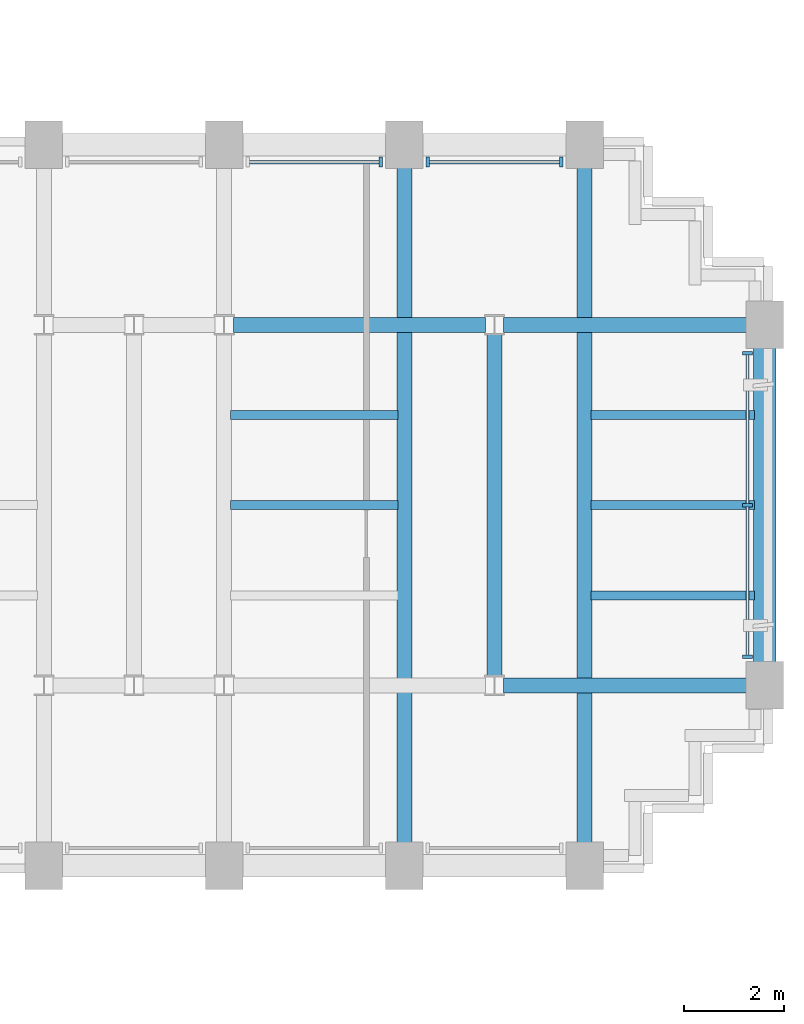
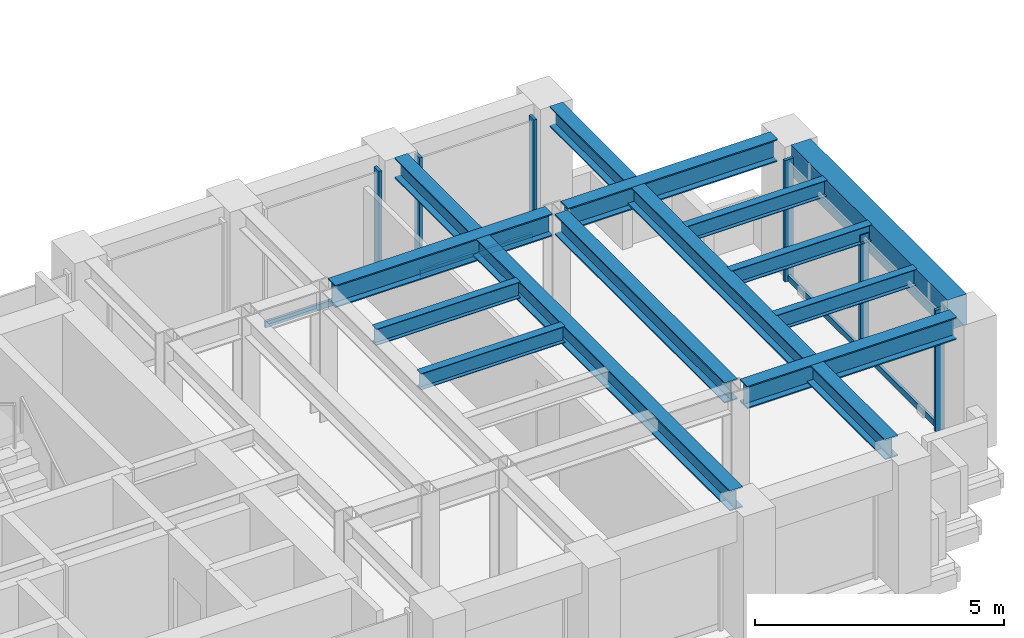
# One storey, part 6 of 16: 12 beams, 10 members, 3 elements without a shape of their own.
"""IFC4 building model written with IfcOpenShell, lengths in metres."""

import ifcopenshell
import ifcopenshell.guid

model = None  # the IFC model being written
_history = None  # IfcOwnerHistory: only IFC2X3 demands one
_inside = {}  # id of a spatial element -> (the spatial element, [elements in it])
_under = {}  # id of a project, library or spatial element -> (it, [spatial elements below it])
_declared = {}  # id of a project -> (the project, [libraries it declares])
_typed = {}  # id of a type object -> (the type object, [elements of that type])
_made_of = {}  # id of a material, layer set ... -> (it, [elements and type objects made of it])


def new_model(schema):
    """Start an empty IFC model of exactly this schema.

    Asked for "IFC4X3", IfcOpenShell would pick the latest addendum, in which some entities
    have other attributes; the version numbers below select the first issue.
    IFC2X3 requires an IfcOwnerHistory on every rooted entity: one is made here for all.
    """
    global model, _history
    if schema == "IFC4X3":
        model = ifcopenshell.file(schema_version=(4, 3, 0, 0))
    else:
        model = ifcopenshell.file(schema=schema)
    _inside.clear()
    _under.clear()
    _declared.clear()
    _typed.clear()
    _made_of.clear()
    _history = None
    if model.schema == "IFC2X3":
        org = make("IfcOrganization", Name="unknown")
        user = make(
            "IfcPersonAndOrganization",
            ThePerson=make("IfcPerson", FamilyName="unknown"),
            TheOrganization=org,
        )
        app = make(
            "IfcApplication",
            ApplicationDeveloper=org,
            Version="unknown",
            ApplicationFullName="unknown",
            ApplicationIdentifier="unknown",
        )
        _history = make(
            "IfcOwnerHistory",
            OwningUser=user,
            OwningApplication=app,
            ChangeAction="ADDED",
            CreationDate=0,
        )
    return model


def make(cls, **values):
    """One entity of the class cls with the attributes given. An attribute that is None is left unset."""
    return model.create_entity(
        cls, **{name: value for name, value in values.items() if value is not None}
    )


def rooted(cls, **values):
    """An entity with a GlobalId (a new one), such as an element, a storey or a relation."""
    return make(cls, GlobalId=ifcopenshell.guid.new(), OwnerHistory=_history, **values)


def si_unit(unit_type, name, prefix=None):
    """IfcSIUnit, for example si_unit("LENGTHUNIT", "METRE", prefix="MILLI")."""
    return make("IfcSIUnit", UnitType=unit_type, Prefix=prefix, Name=name)


def assignment(units):
    """IfcUnitAssignment: the units of a project."""
    return None if units is None else make("IfcUnitAssignment", Units=units)


def point(xyz):
    """IfcCartesianPoint."""
    return None if xyz is None else make("IfcCartesianPoint", Coordinates=xyz)


def direction(xyz):
    """IfcDirection."""
    return None if xyz is None else make("IfcDirection", DirectionRatios=xyz)


def frame(location, z_axis=None, x_axis=None):
    """IfcAxis2Placement3D, a coordinate frame: its origin and axes. An axis left out is left unset."""
    return make(
        "IfcAxis2Placement3D",
        Location=point(location),
        Axis=direction(z_axis),
        RefDirection=direction(x_axis),
    )


def frame_2d(location, x_axis=None):
    """IfcAxis2Placement2D, a coordinate frame in the plane: its origin and x axis."""
    return make(
        "IfcAxis2Placement2D", Location=point(location), RefDirection=direction(x_axis)
    )


def origin():
    """The frame at (0, 0, 0) with its axes left unset."""
    return frame((0.0, 0.0, 0.0))


def origin_2d():
    """The frame at (0, 0) in the plane with its x axis left unset."""
    return frame_2d((0.0, 0.0))


def place(relative_to, where):
    """IfcLocalPlacement: puts the frame where relative to a parent placement (None: the world)."""
    return make(
        "IfcLocalPlacement", PlacementRelTo=relative_to, RelativePlacement=where
    )


def context(
    kind, dimensions, precision=None, world=None, true_north=None, identifier=None
):
    """IfcGeometricRepresentationContext, for example the 3D "Model" context."""
    return make(
        "IfcGeometricRepresentationContext",
        ContextIdentifier=identifier,
        ContextType=kind,
        CoordinateSpaceDimension=dimensions,
        Precision=precision,
        WorldCoordinateSystem=world,
        TrueNorth=true_north,
    )


def subcontext(parent, identifier, kind, view, scale=None):
    """IfcGeometricRepresentationSubContext, for example "Body" below "Model"."""
    return make(
        "IfcGeometricRepresentationSubContext",
        ContextIdentifier=identifier,
        ContextType=kind,
        ParentContext=parent,
        TargetScale=scale,
        TargetView=view,
    )


def project(units=None, contexts=None):
    """IfcProject with its units and contexts."""
    return rooted(
        "IfcProject",
        Name="project",
        RepresentationContexts=contexts,
        UnitsInContext=assignment(units),
    )


def spatial(cls, under=None, at=None, **own):
    """A site, building, storey or space (cls), placed at a placement, below another one or the project."""
    s = rooted(cls, ObjectPlacement=at, **own)
    if under is not None:
        _under.setdefault(under.id(), (under, []))[1].append(s)
    return s


def profile(cls, at=None, kind="AREA", **sizes):
    """A parametric profile (cls). Its sizes go by their IFC names, for example OverallWidth=200.0."""
    return make(cls, ProfileType=kind, Position=at, **sizes)


def rectangle(**sizes):
    """IfcRectangleProfileDef."""
    return profile("IfcRectangleProfileDef", **sizes)


def i_section(**sizes):
    """IfcIShapeProfileDef."""
    return profile("IfcIShapeProfileDef", **sizes)


def extrude(swept, where, along, depth):
    """IfcExtrudedAreaSolid: the profile swept, set in the frame where, extruded along a direction by depth."""
    return make(
        "IfcExtrudedAreaSolid",
        SweptArea=swept,
        Position=where,
        ExtrudedDirection=direction(along),
        Depth=depth,
    )


def shape(context_of_items, identifier, shape_type, items):
    """IfcShapeRepresentation: the items that make up one representation, for example the "Body"."""
    return make(
        "IfcShapeRepresentation",
        ContextOfItems=context_of_items,
        RepresentationIdentifier=identifier,
        RepresentationType=shape_type,
        Items=items,
    )


def source(mapping_origin, context_of_items, identifier, shape_type, items):
    """IfcRepresentationMap: a shape defined once, which mapped items show again and again."""
    return make(
        "IfcRepresentationMap",
        MappingOrigin=mapping_origin,
        MappedRepresentation=shape(context_of_items, identifier, shape_type, items),
    )


def transform(
    local_origin,
    x_axis=None,
    y_axis=None,
    z_axis=None,
    scale=None,
    scale2=None,
    scale3=None,
    uniform=True,
):
    """IfcCartesianTransformationOperator3D, or its non-uniform kind. x_axis, y_axis, z_axis: its Axis1, 2, 3."""
    if uniform:
        return make(
            "IfcCartesianTransformationOperator3D",
            Axis1=direction(x_axis),
            Axis2=direction(y_axis),
            LocalOrigin=point(local_origin),
            Scale=scale,
            Axis3=direction(z_axis),
        )
    return make(
        "IfcCartesianTransformationOperator3DnonUniform",
        Axis1=direction(x_axis),
        Axis2=direction(y_axis),
        LocalOrigin=point(local_origin),
        Scale=scale,
        Axis3=direction(z_axis),
        Scale2=scale2,
        Scale3=scale3,
    )


def mapped(mapping_source, mapping_target):
    """IfcMappedItem: shows the shape of a source again, moved by a transform."""
    return make(
        "IfcMappedItem", MappingSource=mapping_source, MappingTarget=mapping_target
    )


def material(Name=None, Category=None):
    """IfcMaterial."""
    return make("IfcMaterial", Name=Name, Category=Category)


def material_profile(
    of_material, cross_section, Name=None, Category=None, Priority=None
):
    """IfcMaterialProfile: a cross section and its material."""
    return make(
        "IfcMaterialProfile",
        Name=Name,
        Material=of_material,
        Profile=cross_section,
        Priority=Priority,
        Category=Category,
    )


def profile_set(profiles, Name=None, composite=None):
    """IfcMaterialProfileSet."""
    return make(
        "IfcMaterialProfileSet",
        Name=Name,
        MaterialProfiles=profiles,
        CompositeProfile=composite,
    )


def made_of(thing, what):
    """Note that an element or type object is made of a material, layer set ...; save() writes the relation."""
    if what is not None:
        _made_of.setdefault(what.id(), (what, []))[1].append(thing)
    return thing


def type_object(cls, material=None, **own):
    """A type object (cls), such as IfcWallType, which elements share."""
    return made_of(rooted(cls, **own), material)


def element(
    cls,
    number,
    at=None,
    inside=None,
    cuts=None,
    type_object=None,
    material=None,
    context=None,
    identifier="Body",
    shape_type=None,
    held_by="IfcProductDefinitionShape",
    body=None,
    shapes=None,
    **own,
):
    """One element of the class cls, such as IfcWall. Its Tag is "e" and its number.

    at: its placement. inside: the storey or other place that contains it. cuts: it is an
    opening in that element (IfcRelVoidsElement). A single representation is given by context,
    identifier, shape_type and body (its items); several are given by shapes. held_by: the class
    of the entity that holds the representations. save() writes the other relations.
    """
    e = rooted(cls, Tag="e%d" % number, ObjectPlacement=at, **own)
    if body is not None:
        shapes = [shape(context, identifier, shape_type, body)]
    if shapes is not None:
        e.Representation = make(held_by, Representations=shapes)
    if inside is not None:
        _inside.setdefault(inside.id(), (inside, []))[1].append(e)
    if cuts is not None:
        rooted(
            "IfcRelVoidsElement", RelatingBuildingElement=cuts, RelatedOpeningElement=e
        )
    if type_object is not None:
        _typed.setdefault(type_object.id(), (type_object, []))[1].append(e)
    return made_of(e, material)


def aggregate(whole, parts):
    """IfcRelAggregates: a whole, such as a stair, and the parts it consists of."""
    return rooted("IfcRelAggregates", RelatingObject=whole, RelatedObjects=parts)


def save(model, path):
    """Write the relations noted so far, then the file.

    IfcRelAggregates (storeys below a building ...), IfcRelContainedInSpatialStructure (elements
    in a storey), IfcRelDefinesByType, IfcRelAssociatesMaterial and IfcRelDeclares: one each for
    every whole, place, type object, material and project.
    """
    for whole, parts in _under.values():
        aggregate(whole, parts)
    for where, things in _inside.values():
        rooted(
            "IfcRelContainedInSpatialStructure",
            RelatedElements=things,
            RelatingStructure=where,
        )
    for kind, things in _typed.values():
        rooted("IfcRelDefinesByType", RelatedObjects=things, RelatingType=kind)
    for what, things in _made_of.values():
        rooted("IfcRelAssociatesMaterial", RelatedObjects=things, RelatingMaterial=what)
    for by, libraries in _declared.values():
        rooted("IfcRelDeclares", RelatingContext=by, RelatedDefinitions=libraries)
    model.write(path)


model = new_model("IFC4")

# Units and contexts
model_context = context("Model", 3, precision=1e-05, world=origin(), true_north=direction((0.0, 1.0)))
body_context = subcontext(model_context, "Body", "Model", "MODEL_VIEW")
ifc_project = project(units=[si_unit("LENGTHUNIT", "METRE"), si_unit("AREAUNIT", "SQUARE_METRE"), si_unit("VOLUMEUNIT", "CUBIC_METRE"), si_unit("PLANEANGLEUNIT", "RADIAN"), si_unit("MASSUNIT", "GRAM", prefix="KILO")], contexts=[model_context])

# Site, building, storey
site_placement = place(None, origin())
site = spatial("IfcSite", under=ifc_project, at=site_placement, CompositionType="ELEMENT")
building_placement = place(site_placement, origin())
building = spatial("IfcBuilding", under=site, at=building_placement, Name="Keilestroom Media Tower", CompositionType="ELEMENT")
storey_placement = place(building_placement, frame((0.0, 0.0, 57.800048828125)))
storey = spatial("IfcBuildingStorey", under=building, at=storey_placement, Name="L14", CompositionType="ELEMENT", Elevation=57.800048828125)

# Beams
ifc_material_1 = material(Name="Precast concrete C40/50", Category="concrete")
ifc_material_profile_1 = material_profile(ifc_material_1, rectangle(XDim=0.449951171875, YDim=0.75, at=origin_2d()), Name="PC 450x750")
ifc_profile_set_1 = profile_set([ifc_material_profile_1], Name="Precast concrete C40/50")
beam_type_1 = type_object("IfcBeamType", Name="Perimeter-Spandrel-Beam-PC-450x750", PredefinedType="SPANDREL", material=ifc_profile_set_1)
shared_shape_1 = source(origin(), body_context, "Body", "SweptSolid", [
    extrude(rectangle(XDim=0.449951171875, YDim=0.75, at=origin_2d()), origin(), (0.0, 0.0, 1.0), 6.2900390625),
])
beam_1_placement = place(storey_placement, frame((28.800048828125, -3.14501953125, 2.824951171875), z_axis=(0.0, 1.0, 0.0), x_axis=(-1.0, 0.0, 0.0)))
element("IfcBeam", 1, at=beam_1_placement, inside=storey, type_object=beam_type_1, Name="L14 Beam SPB-1 BM-L14-NS-086", PredefinedType="SPANDREL", context=body_context, shape_type="MappedRepresentation", body=[
    mapped(shared_shape_1, transform((0.0, 0.0, 0.0), x_axis=(1.0, 0.0, 0.0), y_axis=(0.0, 1.0, 0.0), z_axis=(0.0, 0.0, 1.0), scale=1.0)),
])
ifc_material_2 = material(Name="Steel S355", Category="steel")
ifc_material_profile_2 = material_profile(ifc_material_2, i_section(OverallWidth=0.300048828125, OverallDepth=0.550048828125, WebThickness=0.012939453125, FlangeThickness=0.029052734375, at=origin_2d()), Name="HEB 550")
ifc_profile_set_2 = profile_set([ifc_material_profile_2], Name="Steel S355")
beam_type_2 = type_object("IfcBeamType", Name="Primary-Structural-Girder-HEB-550", PredefinedType="BEAM", material=ifc_profile_set_2)
shared_shape_2 = source(origin(), body_context, "Body", "SweptSolid", [
    extrude(i_section(OverallWidth=0.300048828125, OverallDepth=0.550048828125, WebThickness=0.012939453125, FlangeThickness=0.029052734375, at=origin_2d()), origin(), (0.0, 0.0, 1.0), 4.863037109375),
])
for number, where, z_axis, x_axis, name in (
    (2, (23.58203125, -3.60009765625, 2.925048828125), (1.0, 0.0, 0.0), (0.0, 1.0, 0.0), "L14 Beam BG-5 BM-L14-EW-025"),
    (3, (23.58203125, 3.60009765625, 2.925048828125), (1.0, 0.0, 0.0), (0.0, 1.0, 0.0), "L14 Beam BG-5 BM-L14-EW-033"),
):
    element("IfcBeam", number, at=place(storey_placement, frame(where, z_axis=z_axis, x_axis=x_axis)), inside=storey, type_object=beam_type_2, Name=name, PredefinedType="BEAM", context=body_context, shape_type="MappedRepresentation", body=[
        mapped(shared_shape_2, transform((0.0, 0.0, 0.0), x_axis=(1.0, 0.0, 0.0), y_axis=(0.0, 1.0, 0.0), z_axis=(0.0, 0.0, 1.0), scale=1.0)),
    ])
shared_shape_3 = source(origin(), body_context, "Body", "SweptSolid", [
    extrude(i_section(OverallWidth=0.300048828125, OverallDepth=0.550048828125, WebThickness=0.012939453125, FlangeThickness=0.029052734375, at=origin_2d()), origin(), (0.0, 0.0, 1.0), 5.0361328125),
])
beam_2_placement = place(storey_placement, frame((18.181884765625, 3.60009765625, 2.925048828125), z_axis=(1.0, 0.0, 0.0), x_axis=(0.0, 1.0, 0.0)))
element("IfcBeam", 4, at=beam_2_placement, inside=storey, type_object=beam_type_2, Name="L14 Beam BG-5 BM-L14-EW-032", PredefinedType="BEAM", context=body_context, shape_type="MappedRepresentation", body=[
    mapped(shared_shape_3, transform((0.0, 0.0, 0.0), x_axis=(1.0, 0.0, 0.0), y_axis=(0.0, 1.0, 0.0), z_axis=(0.0, 0.0, 1.0), scale=1.0)),
])
ifc_material_profile_3 = material_profile(ifc_material_2, i_section(OverallWidth=0.300048828125, OverallDepth=0.5, WebThickness=0.012451171875, FlangeThickness=0.028076171875, at=origin_2d()), Name="HEB 500")
ifc_profile_set_3 = profile_set([ifc_material_profile_3], Name="Steel S355")
beam_type_3 = type_object("IfcBeamType", Name="Primary-Structural-Girder-HEB-500", PredefinedType="BEAM", material=ifc_profile_set_3)
shared_shape_4 = source(origin(), body_context, "Body", "SweptSolid", [
    extrude(i_section(OverallWidth=0.300048828125, OverallDepth=0.5, WebThickness=0.012451171875, FlangeThickness=0.028076171875, at=origin_2d()), origin(), (0.0, 0.0, 1.0), 13.490234375),
])
for number, where, z_axis, x_axis, name in (
    (5, (21.60009765625, -6.7451171875, 2.949951171875), (0.0, 1.0, 0.0), (-1.0, 0.0, 0.0), "L14 Beam BG-6 BM-L14-NS-083"),
    (6, (25.199951171875, -6.7451171875, 2.949951171875), (0.0, 1.0, 0.0), (-1.0, 0.0, 0.0), "L14 Beam BG-6 BM-L14-NS-085"),
):
    element("IfcBeam", number, at=place(storey_placement, frame(where, z_axis=z_axis, x_axis=x_axis)), inside=storey, type_object=beam_type_3, Name=name, PredefinedType="BEAM", context=body_context, shape_type="MappedRepresentation", body=[
        mapped(shared_shape_4, transform((0.0, 0.0, 0.0), x_axis=(1.0, 0.0, 0.0), y_axis=(0.0, 1.0, 0.0), z_axis=(0.0, 0.0, 1.0), scale=1.0)),
    ])
shared_shape_5 = source(origin(), body_context, "Body", "SweptSolid", [
    extrude(i_section(OverallWidth=0.300048828125, OverallDepth=0.5, WebThickness=0.012451171875, FlangeThickness=0.028076171875, at=origin_2d()), origin(), (0.0, 0.0, 1.0), 6.8330078125),
])
beam_3_placement = place(storey_placement, frame((23.39990234375, -3.41650390625, 2.949951171875), z_axis=(0.0, 1.0, 0.0), x_axis=(-1.0, 0.0, 0.0)))
element("IfcBeam", 7, at=beam_3_placement, inside=storey, type_object=beam_type_3, Name="L14 Beam BG-6 BM-L14-NS-084", PredefinedType="BEAM", context=body_context, shape_type="MappedRepresentation", body=[
    mapped(shared_shape_5, transform((0.0, 0.0, 0.0), x_axis=(1.0, 0.0, 0.0), y_axis=(0.0, 1.0, 0.0), z_axis=(0.0, 0.0, 1.0), scale=1.0)),
])
ifc_material_profile_4 = material_profile(ifc_material_2, i_section(OverallWidth=0.179931640625, OverallDepth=0.39990234375, WebThickness=0.008544921875, FlangeThickness=0.013427734375, at=origin_2d()), Name="IPE 400")
ifc_profile_set_4 = profile_set([ifc_material_profile_4], Name="Steel S355")
beam_type_4 = type_object("IfcBeamType", Name="Secondary-Floor-Joist-IPE-400", PredefinedType="JOIST", material=ifc_profile_set_4)
shared_shape_6 = source(origin(), body_context, "Body", "SweptSolid", [
    extrude(i_section(OverallWidth=0.179931640625, OverallDepth=0.39990234375, WebThickness=0.008544921875, FlangeThickness=0.013427734375, at=origin_2d()), origin(), (0.0, 0.0, 1.0), 3.264892578125),
])
for number, where, z_axis, x_axis, name in (
    (8, (25.330078125, -1.800048828125, 3.0), (1.0, 0.0, 0.0), (0.0, 1.0, 0.0), "L14 Beam BJ-4 JST-L14-095"),
    (9, (25.330078125, 0.0, 3.0), (1.0, 0.0, 0.0), (0.0, 1.0, 0.0), "L14 Beam BJ-4 JST-L14-102"),
    (10, (25.330078125, 1.800048828125, 3.0), (1.0, 0.0, 0.0), (0.0, 1.0, 0.0), "L14 Beam BJ-4 JST-L14-109"),
):
    element("IfcBeam", number, at=place(storey_placement, frame(where, z_axis=z_axis, x_axis=x_axis)), inside=storey, type_object=beam_type_4, Name=name, PredefinedType="JOIST", context=body_context, shape_type="MappedRepresentation", body=[
        mapped(shared_shape_6, transform((0.0, 0.0, 0.0), x_axis=(1.0, 0.0, 0.0), y_axis=(0.0, 1.0, 0.0), z_axis=(0.0, 0.0, 1.0), scale=1.0)),
    ])
shared_shape_7 = source(origin(), body_context, "Body", "SweptSolid", [
    extrude(i_section(OverallWidth=0.179931640625, OverallDepth=0.39990234375, WebThickness=0.008544921875, FlangeThickness=0.013427734375, at=origin_2d()), origin(), (0.0, 0.0, 1.0), 3.340087890625),
])
for number, where, z_axis, x_axis, name in (
    (11, (18.1298828125, 0.0, 3.0), (1.0, 0.0, 0.0), (0.0, 1.0, 0.0), "L14 Beam BJ-4 JST-L14-101"),
    (12, (18.1298828125, 1.800048828125, 3.0), (1.0, 0.0, 0.0), (0.0, 1.0, 0.0), "L14 Beam BJ-4 JST-L14-108"),
):
    element("IfcBeam", number, at=place(storey_placement, frame(where, z_axis=z_axis, x_axis=x_axis)), inside=storey, type_object=beam_type_4, Name=name, PredefinedType="JOIST", context=body_context, shape_type="MappedRepresentation", body=[
        mapped(shared_shape_7, transform((0.0, 0.0, 0.0), x_axis=(1.0, 0.0, 0.0), y_axis=(0.0, 1.0, 0.0), z_axis=(0.0, 0.0, 1.0), scale=1.0)),
    ])

# Curtain wall, members
ifc_material_3 = material(Name="Anodised Aluminium Alloy", Category="aluminium")
curtain_wall_type = type_object("IfcCurtainWallType", Name="Unitised-Curtain-Wall-CW-1", PredefinedType="NOTDEFINED", material=ifc_material_3)
curtain_wall_1_placement = place(storey_placement, origin())
curtain_wall_1 = element("IfcCurtainWall", 13, at=curtain_wall_1_placement, inside=storey, type_object=curtain_wall_type, Name="L14 Curtain Wall CW-1 CW-L14-E-1", PredefinedType="NOTDEFINED")
ifc_material_profile_5 = material_profile(ifc_material_3, rectangle(XDim=0.070068359375, YDim=0.199951171875, at=origin_2d()), Name="ALU MULLION 70x200")
ifc_profile_set_5 = profile_set([ifc_material_profile_5], Name="Anodised Aluminium Alloy")
member_type_1 = type_object("IfcMemberType", Name="Curtain-Wall-Mullion-CW-1", PredefinedType="MULLION", material=ifc_profile_set_5)
shared_shape_8 = source(origin(), body_context, "Body", "SweptSolid", [
    extrude(rectangle(XDim=0.070068359375, YDim=0.199951171875, at=origin_2d()), origin(), (0.0, 0.0, 1.0), 2.97998046875),
])
member_1_placement = place(storey_placement, frame((28.449951171875, -3.030029296875, 0.0), z_axis=(0.0, 0.0, 1.0), x_axis=(0.0, 1.0, 0.0)))
member_1 = element("IfcMember", 14, at=member_1_placement, type_object=member_type_1, Name="CW-1 Mullion 00", PredefinedType="MULLION", context=body_context, shape_type="MappedRepresentation", body=[
    mapped(shared_shape_8, transform((0.0, 0.0, 0.0), x_axis=(1.0, 0.0, 0.0), y_axis=(0.0, 1.0, 0.0), z_axis=(0.0, 0.0, 1.0), scale=1.0)),
])
member_2_placement = place(storey_placement, frame((28.449951171875, 0.0, 0.0), z_axis=(0.0, 0.0, 1.0), x_axis=(0.0, 1.0, 0.0)))
member_2 = element("IfcMember", 15, at=member_2_placement, type_object=member_type_1, Name="CW-1 Mullion 01", PredefinedType="MULLION", context=body_context, shape_type="MappedRepresentation", body=[
    mapped(shared_shape_8, transform((0.0, 0.0, 0.0), x_axis=(1.0, 0.0, 0.0), y_axis=(0.0, 1.0, 0.0), z_axis=(0.0, 0.0, 1.0), scale=1.0)),
])
member_3_placement = place(storey_placement, frame((28.449951171875, 3.030029296875, 0.0), z_axis=(0.0, 0.0, 1.0), x_axis=(0.0, 1.0, 0.0)))
member_3 = element("IfcMember", 16, at=member_3_placement, type_object=member_type_1, Name="CW-1 Mullion 02", PredefinedType="MULLION", context=body_context, shape_type="MappedRepresentation", body=[
    mapped(shared_shape_8, transform((0.0, 0.0, 0.0), x_axis=(1.0, 0.0, 0.0), y_axis=(0.0, 1.0, 0.0), z_axis=(0.0, 0.0, 1.0), scale=1.0)),
])

# Curtain wall, member
curtain_wall_2_placement = place(storey_placement, origin())
curtain_wall_2 = element("IfcCurtainWall", 17, at=curtain_wall_2_placement, inside=storey, type_object=curtain_wall_type, Name="L14 Curtain Wall CW-1 CW-L14-NE-3", PredefinedType="NOTDEFINED")
member_4_placement = place(storey_placement, frame((21.1298828125, 6.85009765625, 0.0), z_axis=(0.0, 0.0, 1.0), x_axis=(1.0, 0.0, 0.0)))
member_4 = element("IfcMember", 18, at=member_4_placement, type_object=member_type_1, Name="CW-1 Mullion 01", PredefinedType="MULLION", context=body_context, shape_type="MappedRepresentation", body=[
    mapped(shared_shape_8, transform((0.0, 0.0, 0.0), x_axis=(1.0, 0.0, 0.0), y_axis=(0.0, 1.0, 0.0), z_axis=(0.0, 0.0, 1.0), scale=1.0)),
])

# Curtain wall, members
curtain_wall_3_placement = place(storey_placement, origin())
curtain_wall_3 = element("IfcCurtainWall", 19, at=curtain_wall_3_placement, inside=storey, type_object=curtain_wall_type, Name="L14 Curtain Wall CW-1 CW-L14-NE-4", PredefinedType="NOTDEFINED")
member_5_placement = place(storey_placement, frame((22.070068359375, 6.85009765625, 0.0), z_axis=(0.0, 0.0, 1.0), x_axis=(1.0, 0.0, 0.0)))
member_5 = element("IfcMember", 20, at=member_5_placement, type_object=member_type_1, Name="CW-1 Mullion 00", PredefinedType="MULLION", context=body_context, shape_type="MappedRepresentation", body=[
    mapped(shared_shape_8, transform((0.0, 0.0, 0.0), x_axis=(1.0, 0.0, 0.0), y_axis=(0.0, 1.0, 0.0), z_axis=(0.0, 0.0, 1.0), scale=1.0)),
])
member_6_placement = place(storey_placement, frame((24.72998046875, 6.85009765625, 0.0), z_axis=(0.0, 0.0, 1.0), x_axis=(1.0, 0.0, 0.0)))
member_6 = element("IfcMember", 21, at=member_6_placement, type_object=member_type_1, Name="CW-1 Mullion 01", PredefinedType="MULLION", context=body_context, shape_type="MappedRepresentation", body=[
    mapped(shared_shape_8, transform((0.0, 0.0, 0.0), x_axis=(1.0, 0.0, 0.0), y_axis=(0.0, 1.0, 0.0), z_axis=(0.0, 0.0, 1.0), scale=1.0)),
])

# Member
ifc_material_profile_6 = material_profile(ifc_material_3, rectangle(XDim=0.06494140625, YDim=0.14990234375, at=origin_2d()), Name="ALU TRANSOM 65x150")
ifc_profile_set_6 = profile_set([ifc_material_profile_6], Name="Anodised Aluminium Alloy")
member_type_2 = type_object("IfcMemberType", Name="Curtain-Wall-Transom-CW-1", PredefinedType="USERDEFINED", material=ifc_profile_set_6)
shared_shape_9 = source(origin(), body_context, "Body", "SweptSolid", [
    extrude(rectangle(XDim=0.06494140625, YDim=0.14990234375, at=origin_2d()), origin(), (0.0, 0.0, 1.0), 2.964111328125),
])
member_7_placement = place(storey_placement, frame((28.449951171875, -2.9970703125, 0.074951171875), z_axis=(0.0, 1.0, 0.0), x_axis=(-1.0, 0.0, 0.0)))
member_7 = element("IfcMember", 22, at=member_7_placement, type_object=member_type_2, Name="CW-1 Transom 00.1", ObjectType="TRANSOM", PredefinedType="USERDEFINED", context=body_context, shape_type="MappedRepresentation", body=[
    mapped(shared_shape_9, transform((0.0, 0.0, 0.0), x_axis=(1.0, 0.0, 0.0), y_axis=(0.0, 1.0, 0.0), z_axis=(0.0, 0.0, 1.0), scale=1.0)),
])

member_8_placement = place(storey_placement, frame((28.449951171875, 0.032958984375, 0.074951171875), z_axis=(0.0, 1.0, 0.0), x_axis=(-1.0, 0.0, 0.0)))
member_8 = element("IfcMember", 23, at=member_8_placement, type_object=member_type_2, Name="CW-1 Transom 01.1", ObjectType="TRANSOM", PredefinedType="USERDEFINED", context=body_context, shape_type="MappedRepresentation", body=[
    mapped(shared_shape_9, transform((0.0, 0.0, 0.0), x_axis=(1.0, 0.0, 0.0), y_axis=(0.0, 1.0, 0.0), z_axis=(0.0, 0.0, 1.0), scale=1.0)),
])

aggregate(curtain_wall_1, [member_1, member_2, member_3, member_7, member_8])

shared_shape_10 = source(origin(), body_context, "Body", "SweptSolid", [
    extrude(rectangle(XDim=0.06494140625, YDim=0.14990234375, at=origin_2d()), origin(), (0.0, 0.0, 1.0), 2.593994140625),
])
member_9_placement = place(storey_placement, frame((18.5029296875, 6.85009765625, 0.074951171875), z_axis=(1.0, 0.0, 0.0), x_axis=(0.0, 1.0, 0.0)))
member_9 = element("IfcMember", 24, at=member_9_placement, type_object=member_type_2, Name="CW-1 Transom 00.1", ObjectType="TRANSOM", PredefinedType="USERDEFINED", context=body_context, shape_type="MappedRepresentation", body=[
    mapped(shared_shape_10, transform((0.0, 0.0, 0.0), x_axis=(1.0, 0.0, 0.0), y_axis=(0.0, 1.0, 0.0), z_axis=(0.0, 0.0, 1.0), scale=1.0)),
])

aggregate(curtain_wall_2, [member_4, member_9])

member_10_placement = place(storey_placement, frame((22.10302734375, 6.85009765625, 0.074951171875), z_axis=(1.0, 0.0, 0.0), x_axis=(0.0, 1.0, 0.0)))
member_10 = element("IfcMember", 25, at=member_10_placement, type_object=member_type_2, Name="CW-1 Transom 00.1", ObjectType="TRANSOM", PredefinedType="USERDEFINED", context=body_context, shape_type="MappedRepresentation", body=[
    mapped(shared_shape_10, transform((0.0, 0.0, 0.0), x_axis=(1.0, 0.0, 0.0), y_axis=(0.0, 1.0, 0.0), z_axis=(0.0, 0.0, 1.0), scale=1.0)),
])

aggregate(curtain_wall_3, [member_5, member_6, member_10])

save(model, "model.ifc")
